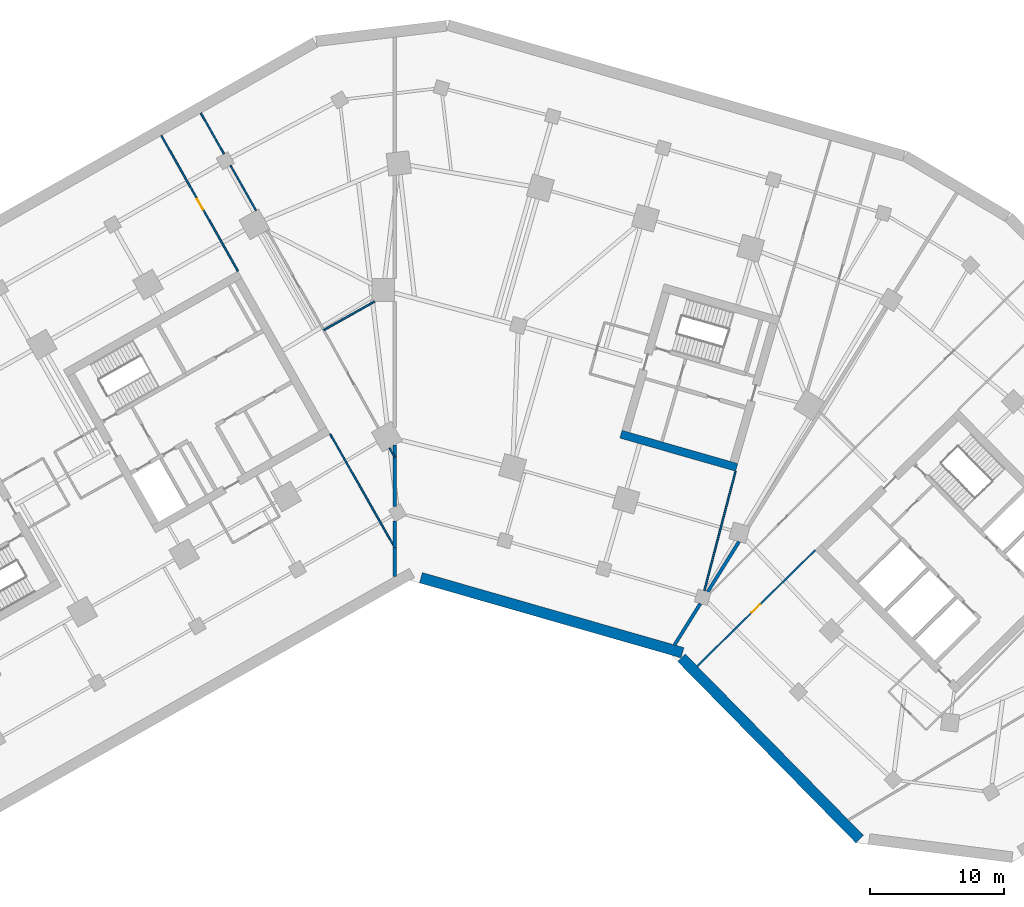
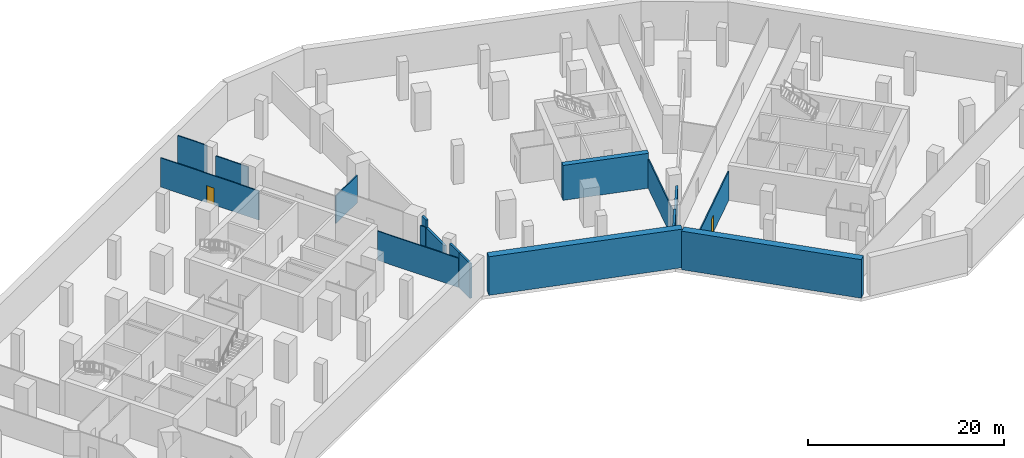
# One storey, part 8 of 13: 17 walls, 2 doors, 2 openings.
"""IFC4 building model written with IfcOpenShell, lengths in metres."""

from ifc_helpers import new_model, si_unit, direction, frame, frame_2d, origin, place, context, subcontext, project, spatial, rectangle, extrude, material, layer, layer_set, type_object, element, fill, save


model = new_model("IFC4")

# Units and contexts
model_context = context("Model", 3, precision=1e-05, world=origin(), true_north=direction((0.0, 1.0)))
body_context = subcontext(model_context, "Body", "Model", "MODEL_VIEW")
ifc_project = project(units=[si_unit("LENGTHUNIT", "METRE"), si_unit("AREAUNIT", "SQUARE_METRE"), si_unit("VOLUMEUNIT", "CUBIC_METRE"), si_unit("PLANEANGLEUNIT", "RADIAN"), si_unit("MASSUNIT", "GRAM", prefix="KILO")], contexts=[model_context])

# Site, building, storey
site_placement = place(None, origin())
site = spatial("IfcSite", under=ifc_project, at=site_placement, CompositionType="ELEMENT")
building_placement = place(site_placement, origin())
building = spatial("IfcBuilding", under=site, at=building_placement, Name="Binnacle Exchange Tower", CompositionType="ELEMENT")
storey_placement = place(building_placement, frame((0.0, 0.0, -4.800048828125)))
storey = spatial("IfcBuildingStorey", under=building, at=storey_placement, Name="B1", CompositionType="ELEMENT", Elevation=-4.800048828125)

# Walls
ifc_material_1 = material(Name="Concrete C40/50", Category="concrete")
ifc_layer_1 = layer(ifc_material_1, 0.800048828125)
ifc_layer_set_1 = layer_set([ifc_layer_1], Name="Basement retaining wall 800 Concrete C40/50")
wall_type_1 = type_object("IfcWallType", Name="Basement retaining wall 800 Concrete C40/50", PredefinedType="SOLIDWALL", material=ifc_layer_set_1)
wall_1_placement = place(storey_placement, frame((1.961181640625, 38.4912109375, 0.0), z_axis=(0.0, 0.0, 1.0), x_axis=(0.961261264877, -0.275638859104, 0.0)))
element("IfcWall", 1, at=wall_1_placement, inside=storey, type_object=wall_type_1, Name="S:RW:B1:09", PredefinedType="SOLIDWALL", context=body_context, shape_type="SweptSolid", body=[
    extrude(rectangle(XDim=20.3408203125, YDim=0.800048828125, at=frame_2d((10.17041015625, 0.0))), origin(), (0.0, 0.0, 1.0), 4.800048828125),
])
wall_2_placement = place(storey_placement, frame((21.432373046875, 32.5107421875, 0.0), z_axis=(0.0, 0.0, 1.0), x_axis=(0.700906850363, -0.713252821315, 0.0)))
element("IfcWall", 2, at=wall_2_placement, inside=storey, type_object=wall_type_1, Name="S:RW:B1:10", PredefinedType="SOLIDWALL", context=body_context, shape_type="SweptSolid", body=[
    extrude(rectangle(XDim=19.003662109375, YDim=0.800048828125, at=frame_2d((9.501953125, 0.0))), origin(), (0.0, 0.0, 1.0), 4.800048828125),
])
ifc_material_2 = material(Name="Concrete C70/85", Category="concrete")
ifc_layer_2 = layer(ifc_material_2, 0.60009765625)
ifc_layer_set_2 = layer_set([ifc_layer_2], Name="Core wall - outer 600")
wall_type_2 = type_object("IfcWallType", Name="Core wall - outer 600", PredefinedType="SOLIDWALL", material=ifc_layer_set_2)
wall_3_placement = place(storey_placement, frame((16.91064453125, 49.22119140625, 0.0), z_axis=(0.0, 0.0, 1.0), x_axis=(0.96126248289, -0.275634611374, 0.0)))
element("IfcWall", 3, at=wall_3_placement, inside=storey, type_object=wall_type_2, Name="Core wall CRWD1", PredefinedType="SOLIDWALL", context=body_context, shape_type="SweptSolid", body=[
    extrude(rectangle(XDim=9.0, YDim=0.60009765625, at=frame_2d((4.5, 0.0))), origin(), (0.0, 0.0, 1.0), 4.35009765625),
])
ifc_material_3 = material(Name="Concrete fire wall C30/37", Category="concrete")
ifc_layer_3 = layer(ifc_material_3, 0.25)
ifc_layer_set_3 = layer_set([ifc_layer_3], Name="Fire wall - compartment 250")
wall_type_3 = type_object("IfcWallType", Name="Fire wall - compartment 250", PredefinedType="PARTITIONING", material=ifc_layer_set_3)
wall_4_placement = place(storey_placement, frame((0.0, 38.5791015625, 0.0), z_axis=(0.0, 0.0, 1.0), x_axis=(0.0, 1.0, 0.0)))
element("IfcWall", 4, at=wall_4_placement, inside=storey, type_object=wall_type_3, Name="Fire Wall W35", PredefinedType="PARTITIONING", context=body_context, shape_type="SweptSolid", body=[
    extrude(rectangle(XDim=2.1708984375, YDim=0.25, at=frame_2d((1.08544921875, 0.0))), origin(), (0.0, 0.0, 1.0), 4.35009765625),
])
wall_5_placement = place(storey_placement, frame((0.0, 40.75, 0.0), z_axis=(0.0, 0.0, 1.0), x_axis=(0.0, 1.0, 0.0)))
element("IfcWall", 5, at=wall_5_placement, inside=storey, type_object=wall_type_3, Name="Fire Wall W36", PredefinedType="PARTITIONING", context=body_context, shape_type="SweptSolid", body=[
    extrude(rectangle(XDim=1.97705078125, YDim=0.25, at=frame_2d((0.988525390625, 0.0))), origin(), (0.0, 0.0, 1.0), 4.35009765625),
])
wall_6_placement = place(storey_placement, frame((0.0, 43.805908203125, 0.0), z_axis=(0.0, 0.0, 1.0), x_axis=(0.0, 1.0, 0.0)))
element("IfcWall", 6, at=wall_6_placement, inside=storey, type_object=wall_type_3, Name="Fire Wall W37", PredefinedType="PARTITIONING", context=body_context, shape_type="SweptSolid", body=[
    extrude(rectangle(XDim=3.694091796875, YDim=0.25, at=frame_2d((1.84716796875, 0.0))), origin(), (0.0, 0.0, 1.0), 3.412109375),
])
wall_7_placement = place(storey_placement, frame((0.0, 47.5, 0.0), z_axis=(0.0, 0.0, 1.0), x_axis=(0.0, 1.0, 0.0)))
element("IfcWall", 7, at=wall_7_placement, inside=storey, type_object=wall_type_3, Name="Fire Wall W38", PredefinedType="PARTITIONING", context=body_context, shape_type="SweptSolid", body=[
    extrude(rectangle(XDim=0.902099609375, YDim=0.25, at=frame_2d((0.451171875, 0.0))), origin(), (0.0, 0.0, 1.0), 4.35009765625),
])
wall_8_placement = place(storey_placement, frame((20.916015625, 33.471923828125, 0.0), z_axis=(0.0, 0.0, 1.0), x_axis=(0.529775918086, 0.848137651927, 0.0)))
element("IfcWall", 8, at=wall_8_placement, inside=storey, type_object=wall_type_3, Name="Fire Wall W45", PredefinedType="PARTITIONING", context=body_context, shape_type="SweptSolid", body=[
    extrude(rectangle(XDim=3.64111328125, YDim=0.25, at=frame_2d((1.820556640625, 0.0))), origin(), (0.0, 0.0, 1.0), 4.35009765625),
])
wall_9_placement = place(storey_placement, frame((23.39599609375, 37.44189453125, 0.0), z_axis=(0.0, 0.0, 1.0), x_axis=(0.529879823435, 0.848072740227, 0.0)))
element("IfcWall", 9, at=wall_9_placement, inside=storey, type_object=wall_type_3, Name="Fire Wall W48", PredefinedType="PARTITIONING", context=body_context, shape_type="SweptSolid", body=[
    extrude(rectangle(XDim=4.421875, YDim=0.25, at=frame_2d((2.2109375, 0.0))), origin(), (0.0, 0.0, 1.0), 3.412109375),
])

# Wall, opening, door
ifc_material_4 = material(Name="Gypsum partition")
ifc_layer_4 = layer(ifc_material_4, 0.125)
ifc_layer_set_4 = layer_set([ifc_layer_4], Name="Partition 125")
wall_type_4 = type_object("IfcWallType", Name="Partition 125", PredefinedType="PARTITIONING", material=ifc_layer_set_4)
wall_10_placement = place(storey_placement, frame((-17.448974609375, 71.549072265625, 0.0), z_axis=(0.0, 0.0, 1.0), x_axis=(0.492408863594, -0.870364010661, 0.0)))
wall_10 = element("IfcWall", 10, at=wall_10_placement, inside=storey, type_object=wall_type_4, Name="Partition W24", PredefinedType="PARTITIONING", context=body_context, shape_type="SweptSolid", body=[
    extrude(rectangle(XDim=11.64453125, YDim=0.125, at=frame_2d((5.822265625, 0.0))), origin(), (0.0, 0.0, 1.0), 3.630126953125),
])
opening_1_placement = place(wall_10_placement, frame((5.449951171875, 0.0, 0.0)))
opening_1 = element("IfcOpeningElement", 11, at=opening_1_placement, cuts=wall_10, Name="Opening DB1-08", PredefinedType="OPENING", context=body_context, shape_type="SweptSolid", body=[
    extrude(rectangle(XDim=0.89990234375, YDim=2.10009765625, at=frame_2d((0.449951171875, 1.050048828125))), frame((0.0, 0.072509765625, 0.0), z_axis=(0.0, -1.0, 0.0), x_axis=(1.0, 0.0, 0.0)), (0.0, 0.0, 1.0), 0.14501953125),
])
ifc_material_5 = material(Name="Timber door leaf", Category="wood")
door_type = type_object("IfcDoorType", Name="Door 900", OperationType="NOTDEFINED", PredefinedType="DOOR", material=ifc_material_5)
door_1_placement = place(opening_1_placement, origin())
door_1 = element("IfcDoor", 12, at=door_1_placement, inside=storey, type_object=door_type, Name="Door DB1-08", OperationType="SINGLE_SWING_RIGHT", OverallHeight=2.10009765625, OverallWidth=0.89990234375, PredefinedType="DOOR", context=body_context, shape_type="SweptSolid", body=[
    extrude(rectangle(XDim=0.89990234375, YDim=2.10009765625, at=frame_2d((0.449951171875, 1.050048828125))), frame((0.0, 0.02490234375, 0.0), z_axis=(0.0, -1.0, 0.0), x_axis=(1.0, 0.0, 0.0)), (0.0, 0.0, 1.0), 0.050048828125),
])
fill(opening_1, door_1)

# Walls
wall_11_placement = place(storey_placement, frame((-14.489990234375, 73.22412109375, 0.0), z_axis=(0.0, 0.0, 1.0), x_axis=(0.492785561685, -0.870150785896, 0.0)))
element("IfcWall", 13, at=wall_11_placement, inside=storey, type_object=wall_type_4, Name="Partition W25", PredefinedType="PARTITIONING", context=body_context, shape_type="SweptSolid", body=[
    extrude(rectangle(XDim=3.500732421875, YDim=0.125, at=frame_2d((1.75048828125, 0.0))), origin(), (0.0, 0.0, 1.0), 4.35009765625),
])
wall_12_placement = place(storey_placement, frame((-12.27197265625, 69.30810546875, 0.0), z_axis=(0.0, 0.0, 1.0), x_axis=(0.492928006212, -0.870070101022, 0.0)))
element("IfcWall", 14, at=wall_12_placement, inside=storey, type_object=wall_type_4, Name="Partition W27", PredefinedType="PARTITIONING", context=body_context, shape_type="SweptSolid", body=[
    extrude(rectangle(XDim=3.86083984375, YDim=0.125, at=frame_2d((1.930419921875, 0.0))), origin(), (0.0, 0.0, 1.0), 3.412109375),
])
wall_13_placement = place(storey_placement, frame((-5.301025390625, 57.0009765625, 0.0), z_axis=(0.0, 0.0, 1.0), x_axis=(0.870403402545, 0.492339229433, 0.0)))
element("IfcWall", 15, at=wall_13_placement, inside=storey, type_object=wall_type_4, Name="Partition W31", PredefinedType="PARTITIONING", context=body_context, shape_type="SweptSolid", body=[
    extrude(rectangle(XDim=4.36474609375, YDim=0.125, at=frame_2d((2.182373046875, 0.0))), origin(), (0.0, 0.0, 1.0), 3.412109375),
])
wall_14_placement = place(storey_placement, frame((-4.821044921875, 49.22998046875, 0.0), z_axis=(0.0, 0.0, 1.0), x_axis=(0.494232133704, -0.869329970733, 0.0)))
element("IfcWall", 16, at=wall_14_placement, inside=storey, type_object=wall_type_4, Name="Partition W33", PredefinedType="PARTITIONING", context=body_context, shape_type="SweptSolid", body=[
    extrude(rectangle(XDim=9.754638671875, YDim=0.125, at=frame_2d((4.87744140625, 0.0))), origin(), (0.0, 0.0, 1.0), 3.630126953125),
])
wall_15_placement = place(storey_placement, frame((-0.383056640625, 48.18603515625, 0.0), z_axis=(0.0, 0.0, 1.0), x_axis=(0.487514911941, -0.873114660646, 0.0)))
element("IfcWall", 17, at=wall_15_placement, inside=storey, type_object=wall_type_4, Name="Partition W34", PredefinedType="PARTITIONING", context=body_context, shape_type="SweptSolid", body=[
    extrude(rectangle(XDim=0.78564453125, YDim=0.125, at=frame_2d((0.392822265625, 0.0))), origin(), (0.0, 0.0, 1.0), 3.412109375),
])

# Wall, opening, door
wall_16_placement = place(storey_placement, frame((22.610107421875, 31.884033203125, 0.0), z_axis=(0.0, 0.0, 1.0), x_axis=(0.71329764845, 0.700861230712, 0.0)))
wall_16 = element("IfcWall", 18, at=wall_16_placement, inside=storey, type_object=wall_type_4, Name="Partition W46", PredefinedType="PARTITIONING", context=body_context, shape_type="SweptSolid", body=[
    extrude(rectangle(XDim=12.36767578125, YDim=0.125, at=frame_2d((6.183837890625, 0.0))), origin(), (0.0, 0.0, 1.0), 3.630126953125),
])
opening_2_placement = place(wall_16_placement, frame((5.699951171875, 0.0, 0.0)))
opening_2 = element("IfcOpeningElement", 19, at=opening_2_placement, cuts=wall_16, Name="Opening DB1-15", PredefinedType="OPENING", context=body_context, shape_type="SweptSolid", body=[
    extrude(rectangle(XDim=0.89990234375, YDim=2.10009765625, at=frame_2d((0.449951171875, 1.050048828125))), frame((0.0, 0.072509765625, 0.0), z_axis=(0.0, -1.0, 0.0), x_axis=(1.0, 0.0, 0.0)), (0.0, 0.0, 1.0), 0.14501953125),
])
door_2_placement = place(opening_2_placement, origin())
door_2 = element("IfcDoor", 20, at=door_2_placement, inside=storey, type_object=door_type, Name="Door DB1-15", OperationType="SINGLE_SWING_LEFT", OverallHeight=2.10009765625, OverallWidth=0.89990234375, PredefinedType="DOOR", context=body_context, shape_type="SweptSolid", body=[
    extrude(rectangle(XDim=0.89990234375, YDim=2.10009765625, at=frame_2d((0.449951171875, 1.050048828125))), frame((0.0, 0.02490234375, 0.0), z_axis=(0.0, -1.0, 0.0), x_axis=(1.0, 0.0, 0.0)), (0.0, 0.0, 1.0), 0.050048828125),
])
fill(opening_2, door_2)

# Wall
wall_17_placement = place(storey_placement, frame((23.138916015625, 37.51611328125, 0.0), z_axis=(0.0, 0.0, 1.0), x_axis=(0.253335246865, 0.967378546741, 0.0)))
element("IfcWall", 21, at=wall_17_placement, inside=storey, type_object=wall_type_4, Name="Partition W47", PredefinedType="PARTITIONING", context=body_context, shape_type="SweptSolid", body=[
    extrude(rectangle(XDim=9.237060546875, YDim=0.125, at=frame_2d((4.61865234375, 0.0))), origin(), (0.0, 0.0, 1.0), 3.630126953125),
])

save(model, "model.ifc")
